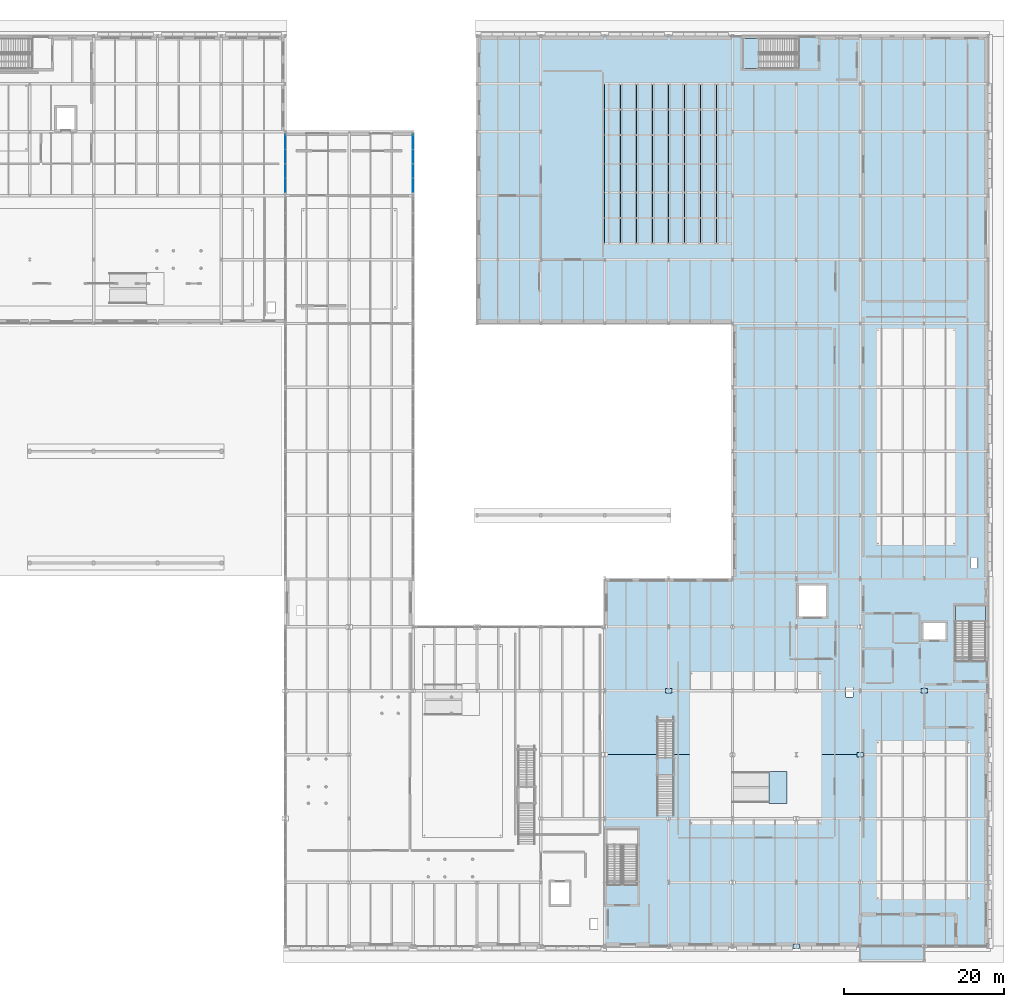
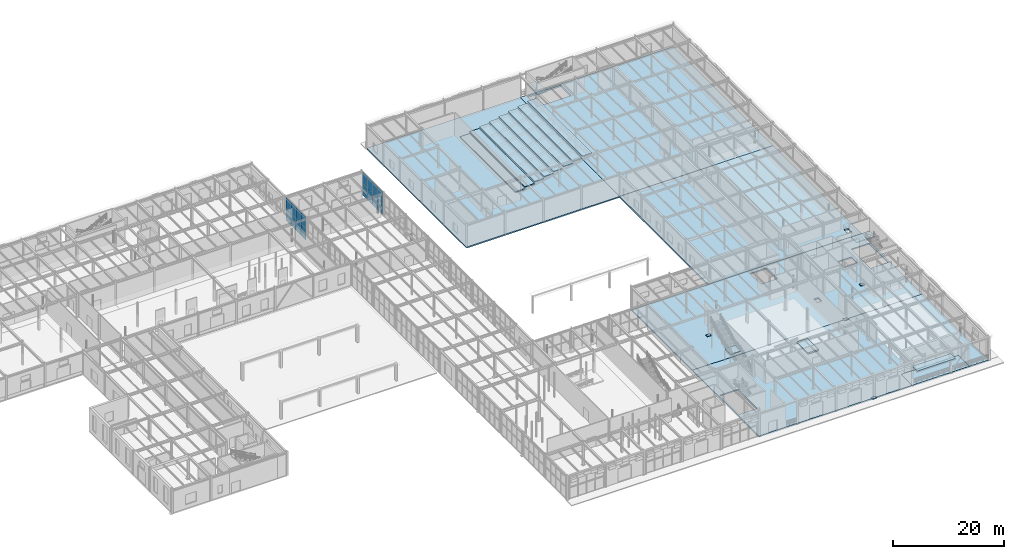
# One storey, part 63 of 129: 20 plates, 19 slabs, 6 elements without a shape of their own.
"""IFC4 building model written with IfcOpenShell, lengths in metres."""

import ifcopenshell
import ifcopenshell.guid

model = None  # the IFC model being written
_history = None  # IfcOwnerHistory: only IFC2X3 demands one
_inside = {}  # id of a spatial element -> (the spatial element, [elements in it])
_under = {}  # id of a project, library or spatial element -> (it, [spatial elements below it])
_declared = {}  # id of a project -> (the project, [libraries it declares])
_typed = {}  # id of a type object -> (the type object, [elements of that type])
_made_of = {}  # id of a material, layer set ... -> (it, [elements and type objects made of it])


def new_model(schema):
    """Start an empty IFC model of exactly this schema.

    Asked for "IFC4X3", IfcOpenShell would pick the latest addendum, in which some entities
    have other attributes; the version numbers below select the first issue.
    IFC2X3 requires an IfcOwnerHistory on every rooted entity: one is made here for all.
    """
    global model, _history
    if schema == "IFC4X3":
        model = ifcopenshell.file(schema_version=(4, 3, 0, 0))
    else:
        model = ifcopenshell.file(schema=schema)
    _inside.clear()
    _under.clear()
    _declared.clear()
    _typed.clear()
    _made_of.clear()
    _history = None
    if model.schema == "IFC2X3":
        org = make("IfcOrganization", Name="unknown")
        user = make(
            "IfcPersonAndOrganization",
            ThePerson=make("IfcPerson", FamilyName="unknown"),
            TheOrganization=org,
        )
        app = make(
            "IfcApplication",
            ApplicationDeveloper=org,
            Version="unknown",
            ApplicationFullName="unknown",
            ApplicationIdentifier="unknown",
        )
        _history = make(
            "IfcOwnerHistory",
            OwningUser=user,
            OwningApplication=app,
            ChangeAction="ADDED",
            CreationDate=0,
        )
    return model


def make(cls, **values):
    """One entity of the class cls with the attributes given. An attribute that is None is left unset."""
    return model.create_entity(
        cls, **{name: value for name, value in values.items() if value is not None}
    )


def rooted(cls, **values):
    """An entity with a GlobalId (a new one), such as an element, a storey or a relation."""
    return make(cls, GlobalId=ifcopenshell.guid.new(), OwnerHistory=_history, **values)


def si_unit(unit_type, name, prefix=None):
    """IfcSIUnit, for example si_unit("LENGTHUNIT", "METRE", prefix="MILLI")."""
    return make("IfcSIUnit", UnitType=unit_type, Prefix=prefix, Name=name)


def assignment(units):
    """IfcUnitAssignment: the units of a project."""
    return None if units is None else make("IfcUnitAssignment", Units=units)


def point(xyz):
    """IfcCartesianPoint."""
    return None if xyz is None else make("IfcCartesianPoint", Coordinates=xyz)


def direction(xyz):
    """IfcDirection."""
    return None if xyz is None else make("IfcDirection", DirectionRatios=xyz)


def frame(location, z_axis=None, x_axis=None):
    """IfcAxis2Placement3D, a coordinate frame: its origin and axes. An axis left out is left unset."""
    return make(
        "IfcAxis2Placement3D",
        Location=point(location),
        Axis=direction(z_axis),
        RefDirection=direction(x_axis),
    )


def frame_2d(location, x_axis=None):
    """IfcAxis2Placement2D, a coordinate frame in the plane: its origin and x axis."""
    return make(
        "IfcAxis2Placement2D", Location=point(location), RefDirection=direction(x_axis)
    )


def origin():
    """The frame at (0, 0, 0) with its axes left unset."""
    return frame((0.0, 0.0, 0.0))


def origin_2d():
    """The frame at (0, 0) in the plane with its x axis left unset."""
    return frame_2d((0.0, 0.0))


def place(relative_to, where):
    """IfcLocalPlacement: puts the frame where relative to a parent placement (None: the world)."""
    return make(
        "IfcLocalPlacement", PlacementRelTo=relative_to, RelativePlacement=where
    )


def context(
    kind, dimensions, precision=None, world=None, true_north=None, identifier=None
):
    """IfcGeometricRepresentationContext, for example the 3D "Model" context."""
    return make(
        "IfcGeometricRepresentationContext",
        ContextIdentifier=identifier,
        ContextType=kind,
        CoordinateSpaceDimension=dimensions,
        Precision=precision,
        WorldCoordinateSystem=world,
        TrueNorth=true_north,
    )


def subcontext(parent, identifier, kind, view, scale=None):
    """IfcGeometricRepresentationSubContext, for example "Body" below "Model"."""
    return make(
        "IfcGeometricRepresentationSubContext",
        ContextIdentifier=identifier,
        ContextType=kind,
        ParentContext=parent,
        TargetScale=scale,
        TargetView=view,
    )


def project(units=None, contexts=None):
    """IfcProject with its units and contexts."""
    return rooted(
        "IfcProject",
        Name="project",
        RepresentationContexts=contexts,
        UnitsInContext=assignment(units),
    )


def spatial(cls, under=None, at=None, **own):
    """A site, building, storey or space (cls), placed at a placement, below another one or the project."""
    s = rooted(cls, ObjectPlacement=at, **own)
    if under is not None:
        _under.setdefault(under.id(), (under, []))[1].append(s)
    return s


def polyline(points):
    """IfcPolyline through the points."""
    return make("IfcPolyline", Points=[point(p) for p in points])


def profile(cls, at=None, kind="AREA", **sizes):
    """A parametric profile (cls). Its sizes go by their IFC names, for example OverallWidth=200.0."""
    return make(cls, ProfileType=kind, Position=at, **sizes)


def rectangle(**sizes):
    """IfcRectangleProfileDef."""
    return profile("IfcRectangleProfileDef", **sizes)


def outline(outer, holes=None, kind="AREA"):
    """IfcArbitraryClosedProfileDef: a profile drawn as a closed curve; with holes, ...WithVoids."""
    if holes is None:
        return make("IfcArbitraryClosedProfileDef", ProfileType=kind, OuterCurve=outer)
    return make(
        "IfcArbitraryProfileDefWithVoids",
        ProfileType=kind,
        OuterCurve=outer,
        InnerCurves=holes,
    )


def extrude(swept, where, along, depth):
    """IfcExtrudedAreaSolid: the profile swept, set in the frame where, extruded along a direction by depth."""
    return make(
        "IfcExtrudedAreaSolid",
        SweptArea=swept,
        Position=where,
        ExtrudedDirection=direction(along),
        Depth=depth,
    )


def shape(context_of_items, identifier, shape_type, items):
    """IfcShapeRepresentation: the items that make up one representation, for example the "Body"."""
    return make(
        "IfcShapeRepresentation",
        ContextOfItems=context_of_items,
        RepresentationIdentifier=identifier,
        RepresentationType=shape_type,
        Items=items,
    )


def material(Name=None, Category=None):
    """IfcMaterial."""
    return make("IfcMaterial", Name=Name, Category=Category)


def layer(
    of_material, thickness, ventilated=None, Name=None, Category=None, Priority=None
):
    """IfcMaterialLayer: one layer of a wall or slab, of a material (None: an air gap)."""
    return make(
        "IfcMaterialLayer",
        Material=of_material,
        LayerThickness=thickness,
        IsVentilated=ventilated,
        Name=Name,
        Category=Category,
        Priority=Priority,
    )


def layer_set(layers, Name=None):
    """IfcMaterialLayerSet."""
    return make("IfcMaterialLayerSet", MaterialLayers=layers, LayerSetName=Name)


def made_of(thing, what):
    """Note that an element or type object is made of a material, layer set ...; save() writes the relation."""
    if what is not None:
        _made_of.setdefault(what.id(), (what, []))[1].append(thing)
    return thing


def type_object(cls, material=None, **own):
    """A type object (cls), such as IfcWallType, which elements share."""
    return made_of(rooted(cls, **own), material)


def element(
    cls,
    number,
    at=None,
    inside=None,
    cuts=None,
    type_object=None,
    material=None,
    context=None,
    identifier="Body",
    shape_type=None,
    held_by="IfcProductDefinitionShape",
    body=None,
    shapes=None,
    **own,
):
    """One element of the class cls, such as IfcWall. Its Tag is "e" and its number.

    at: its placement. inside: the storey or other place that contains it. cuts: it is an
    opening in that element (IfcRelVoidsElement). A single representation is given by context,
    identifier, shape_type and body (its items); several are given by shapes. held_by: the class
    of the entity that holds the representations. save() writes the other relations.
    """
    e = rooted(cls, Tag="e%d" % number, ObjectPlacement=at, **own)
    if body is not None:
        shapes = [shape(context, identifier, shape_type, body)]
    if shapes is not None:
        e.Representation = make(held_by, Representations=shapes)
    if inside is not None:
        _inside.setdefault(inside.id(), (inside, []))[1].append(e)
    if cuts is not None:
        rooted(
            "IfcRelVoidsElement", RelatingBuildingElement=cuts, RelatedOpeningElement=e
        )
    if type_object is not None:
        _typed.setdefault(type_object.id(), (type_object, []))[1].append(e)
    return made_of(e, material)


def aggregate(whole, parts):
    """IfcRelAggregates: a whole, such as a stair, and the parts it consists of."""
    return rooted("IfcRelAggregates", RelatingObject=whole, RelatedObjects=parts)


def save(model, path):
    """Write the relations noted so far, then the file.

    IfcRelAggregates (storeys below a building ...), IfcRelContainedInSpatialStructure (elements
    in a storey), IfcRelDefinesByType, IfcRelAssociatesMaterial and IfcRelDeclares: one each for
    every whole, place, type object, material and project.
    """
    for whole, parts in _under.values():
        aggregate(whole, parts)
    for where, things in _inside.values():
        rooted(
            "IfcRelContainedInSpatialStructure",
            RelatedElements=things,
            RelatingStructure=where,
        )
    for kind, things in _typed.values():
        rooted("IfcRelDefinesByType", RelatedObjects=things, RelatingType=kind)
    for what, things in _made_of.values():
        rooted("IfcRelAssociatesMaterial", RelatedObjects=things, RelatingMaterial=what)
    for by, libraries in _declared.values():
        rooted("IfcRelDeclares", RelatingContext=by, RelatedDefinitions=libraries)
    model.write(path)


model = new_model("IFC4")

# Units and contexts
model_context = context("Model", 3, precision=1e-05, world=origin(), true_north=direction((0.0, 1.0)))
body_context = subcontext(model_context, "Body", "Model", "MODEL_VIEW")
ifc_project = project(units=[si_unit("LENGTHUNIT", "METRE"), si_unit("AREAUNIT", "SQUARE_METRE"), si_unit("VOLUMEUNIT", "CUBIC_METRE"), si_unit("PLANEANGLEUNIT", "RADIAN"), si_unit("MASSUNIT", "GRAM", prefix="KILO")], contexts=[model_context])

# Site, building, storey
site_placement = place(None, origin())
site = spatial("IfcSite", under=ifc_project, at=site_placement, CompositionType="ELEMENT")
building_placement = place(site_placement, origin())
building = spatial("IfcBuilding", under=site, at=building_placement, Name="Sundkrona Museum", CompositionType="ELEMENT")
storey_placement = place(building_placement, origin())
storey = spatial("IfcBuildingStorey", under=building, at=storey_placement, Name="L00", CompositionType="ELEMENT", Elevation=0.0)

# Plates
ifc_material_1 = material(Name="Steel S355J2", Category="steel")
ifc_layer_1 = layer(ifc_material_1, 0.054931640625)
ifc_layer_set_1 = layer_set([ifc_layer_1], Name="Steel S355J2")
plate_type_1 = type_object("IfcPlateType", Name="BP-1", PredefinedType="USERDEFINED", material=ifc_layer_set_1)
for number, where, z_axis, x_axis, name in (
    (1, (128.0, 32.0, 0.0), (0.0, 0.0, 1.0), (1.0, 0.0, 0.0), "Column Base Plate E/17"),
    (2, (144.0, 0.0, 0.0), (0.0, 0.0, 1.0), (1.0, 0.0, 0.0), "Column Base Plate A/19"),
    (3, (152.0, 24.0, 0.0), (0.0, 0.0, 1.0), (1.0, 0.0, 0.0), "Column Base Plate D/20"),
    (4, (160.0, 32.0, 0.0), (0.0, 0.0, 1.0), (1.0, 0.0, 0.0), "Column Base Plate E/21"),
):
    element("IfcPlate", number, at=place(storey_placement, frame(where, z_axis=z_axis, x_axis=x_axis)), inside=storey, type_object=plate_type_1, Name=name, ObjectType="GUSSET PLATE", PredefinedType="USERDEFINED", context=body_context, shape_type="SweptSolid", body=[
        extrude(rectangle(XDim=0.840087890625, YDim=0.60009765625, at=origin_2d()), origin(), (0.0, 0.0, 1.0), 0.054931640625),
    ])

# Curtain wall, plates
ifc_material_2 = material(Name="Unitised Aluminium-Steel and Ceramic-Clad Curtain Walling", Category="steel")
curtain_wall_type = type_object("IfcCurtainWallType", Name="CW-PS-74x48", PredefinedType="NOTDEFINED", material=ifc_material_2)
curtain_wall_1_placement = place(storey_placement, origin())
curtain_wall_1 = element("IfcCurtainWall", 5, at=curtain_wall_1_placement, inside=storey, type_object=curtain_wall_type, Name="L00 Curtain Wall CW-L00-106", PredefinedType="NOTDEFINED")
ifc_material_3 = material(Name="Triple Low-E Vision Glazing 32 mm", Category="glass")
ifc_layer_2 = layer(ifc_material_3, 0.031982421875)
ifc_layer_set_2 = layer_set([ifc_layer_2], Name="Triple Low-E Vision Glazing 32 mm")
plate_type_2 = type_object("IfcPlateType", Name="PN-GL-01", PredefinedType="CURTAIN_PANEL", material=ifc_layer_set_2)
plate_1_placement = place(storey_placement, frame((80.0, 95.300048828125, -0.00390625), z_axis=(0.0, 0.0, 1.0), x_axis=(0.0, 1.0, 0.0)))
plate_1 = element("IfcPlate", 6, at=plate_1_placement, type_object=plate_type_2, Name="CW-L00-106 Panel 01", PredefinedType="CURTAIN_PANEL", context=body_context, shape_type="SweptSolid", body=[
    extrude(rectangle(XDim=1.800048828125, YDim=0.031982421875, at=origin_2d()), origin(), (0.0, 0.0, 1.0), 2.573974609375),
])
plate_2_placement = place(storey_placement, frame((80.0, 95.300048828125, 2.56982421875), z_axis=(0.0, 0.0, 1.0), x_axis=(0.0, 1.0, 0.0)))
plate_2 = element("IfcPlate", 7, at=plate_2_placement, type_object=plate_type_2, Name="CW-L00-106 Panel 02", PredefinedType="CURTAIN_PANEL", context=body_context, shape_type="SweptSolid", body=[
    extrude(rectangle(XDim=1.800048828125, YDim=0.031982421875, at=origin_2d()), origin(), (0.0, 0.0, 1.0), 2.573974609375),
])
plate_3_placement = place(storey_placement, frame((80.0, 97.10009765625, -0.00390625), z_axis=(0.0, 0.0, 1.0), x_axis=(0.0, 1.0, 0.0)))
plate_3 = element("IfcPlate", 8, at=plate_3_placement, type_object=plate_type_2, Name="CW-L00-106 Panel 03", PredefinedType="CURTAIN_PANEL", context=body_context, shape_type="SweptSolid", body=[
    extrude(rectangle(XDim=1.800048828125, YDim=0.031982421875, at=origin_2d()), origin(), (0.0, 0.0, 1.0), 2.573974609375),
])
plate_4_placement = place(storey_placement, frame((80.0, 97.10009765625, 2.56982421875), z_axis=(0.0, 0.0, 1.0), x_axis=(0.0, 1.0, 0.0)))
plate_4 = element("IfcPlate", 9, at=plate_4_placement, type_object=plate_type_2, Name="CW-L00-106 Panel 04", PredefinedType="CURTAIN_PANEL", context=body_context, shape_type="SweptSolid", body=[
    extrude(rectangle(XDim=1.800048828125, YDim=0.031982421875, at=origin_2d()), origin(), (0.0, 0.0, 1.0), 2.573974609375),
])
plate_5_placement = place(storey_placement, frame((80.0, 98.89990234375, -0.00390625), z_axis=(0.0, 0.0, 1.0), x_axis=(0.0, 1.0, 0.0)))
plate_5 = element("IfcPlate", 10, at=plate_5_placement, type_object=plate_type_2, Name="CW-L00-106 Panel 05", PredefinedType="CURTAIN_PANEL", context=body_context, shape_type="SweptSolid", body=[
    extrude(rectangle(XDim=1.800048828125, YDim=0.031982421875, at=origin_2d()), origin(), (0.0, 0.0, 1.0), 2.573974609375),
])
plate_6_placement = place(storey_placement, frame((80.0, 98.89990234375, 2.56982421875), z_axis=(0.0, 0.0, 1.0), x_axis=(0.0, 1.0, 0.0)))
plate_6 = element("IfcPlate", 11, at=plate_6_placement, type_object=plate_type_2, Name="CW-L00-106 Panel 06", PredefinedType="CURTAIN_PANEL", context=body_context, shape_type="SweptSolid", body=[
    extrude(rectangle(XDim=1.800048828125, YDim=0.031982421875, at=origin_2d()), origin(), (0.0, 0.0, 1.0), 2.573974609375),
])
plate_7_placement = place(storey_placement, frame((80.0, 100.699951171875, -0.00390625), z_axis=(0.0, 0.0, 1.0), x_axis=(0.0, 1.0, 0.0)))
plate_7 = element("IfcPlate", 12, at=plate_7_placement, type_object=plate_type_2, Name="CW-L00-106 Panel 07", PredefinedType="CURTAIN_PANEL", context=body_context, shape_type="SweptSolid", body=[
    extrude(rectangle(XDim=1.800048828125, YDim=0.031982421875, at=origin_2d()), origin(), (0.0, 0.0, 1.0), 2.573974609375),
])
plate_8_placement = place(storey_placement, frame((80.0, 100.699951171875, 2.56982421875), z_axis=(0.0, 0.0, 1.0), x_axis=(0.0, 1.0, 0.0)))
plate_8 = element("IfcPlate", 13, at=plate_8_placement, type_object=plate_type_2, Name="CW-L00-106 Panel 08", PredefinedType="CURTAIN_PANEL", context=body_context, shape_type="SweptSolid", body=[
    extrude(rectangle(XDim=1.800048828125, YDim=0.031982421875, at=origin_2d()), origin(), (0.0, 0.0, 1.0), 2.573974609375),
])
aggregate(curtain_wall_1, [plate_1, plate_2, plate_3, plate_4, plate_5, plate_6, plate_7, plate_8])

curtain_wall_2_placement = place(storey_placement, origin())
curtain_wall_2 = element("IfcCurtainWall", 14, at=curtain_wall_2_placement, inside=storey, type_object=curtain_wall_type, Name="L00 Curtain Wall CW-L00-107", PredefinedType="NOTDEFINED")
plate_9_placement = place(storey_placement, frame((96.0, 95.300048828125, -0.00390625), z_axis=(0.0, 0.0, 1.0), x_axis=(0.0, 1.0, 0.0)))
plate_9 = element("IfcPlate", 15, at=plate_9_placement, type_object=plate_type_2, Name="CW-L00-107 Panel 01", PredefinedType="CURTAIN_PANEL", context=body_context, shape_type="SweptSolid", body=[
    extrude(rectangle(XDim=1.800048828125, YDim=0.031982421875, at=origin_2d()), origin(), (0.0, 0.0, 1.0), 2.573974609375),
])
plate_10_placement = place(storey_placement, frame((96.0, 95.300048828125, 2.56982421875), z_axis=(0.0, 0.0, 1.0), x_axis=(0.0, 1.0, 0.0)))
plate_10 = element("IfcPlate", 16, at=plate_10_placement, type_object=plate_type_2, Name="CW-L00-107 Panel 02", PredefinedType="CURTAIN_PANEL", context=body_context, shape_type="SweptSolid", body=[
    extrude(rectangle(XDim=1.800048828125, YDim=0.031982421875, at=origin_2d()), origin(), (0.0, 0.0, 1.0), 2.573974609375),
])
plate_11_placement = place(storey_placement, frame((96.0, 97.10009765625, -0.00390625), z_axis=(0.0, 0.0, 1.0), x_axis=(0.0, 1.0, 0.0)))
plate_11 = element("IfcPlate", 17, at=plate_11_placement, type_object=plate_type_2, Name="CW-L00-107 Panel 03", PredefinedType="CURTAIN_PANEL", context=body_context, shape_type="SweptSolid", body=[
    extrude(rectangle(XDim=1.800048828125, YDim=0.031982421875, at=origin_2d()), origin(), (0.0, 0.0, 1.0), 2.573974609375),
])
plate_12_placement = place(storey_placement, frame((96.0, 97.10009765625, 2.56982421875), z_axis=(0.0, 0.0, 1.0), x_axis=(0.0, 1.0, 0.0)))
plate_12 = element("IfcPlate", 18, at=plate_12_placement, type_object=plate_type_2, Name="CW-L00-107 Panel 04", PredefinedType="CURTAIN_PANEL", context=body_context, shape_type="SweptSolid", body=[
    extrude(rectangle(XDim=1.800048828125, YDim=0.031982421875, at=origin_2d()), origin(), (0.0, 0.0, 1.0), 2.573974609375),
])
plate_13_placement = place(storey_placement, frame((96.0, 98.89990234375, -0.00390625), z_axis=(0.0, 0.0, 1.0), x_axis=(0.0, 1.0, 0.0)))
plate_13 = element("IfcPlate", 19, at=plate_13_placement, type_object=plate_type_2, Name="CW-L00-107 Panel 05", PredefinedType="CURTAIN_PANEL", context=body_context, shape_type="SweptSolid", body=[
    extrude(rectangle(XDim=1.800048828125, YDim=0.031982421875, at=origin_2d()), origin(), (0.0, 0.0, 1.0), 2.573974609375),
])
plate_14_placement = place(storey_placement, frame((96.0, 98.89990234375, 2.56982421875), z_axis=(0.0, 0.0, 1.0), x_axis=(0.0, 1.0, 0.0)))
plate_14 = element("IfcPlate", 20, at=plate_14_placement, type_object=plate_type_2, Name="CW-L00-107 Panel 06", PredefinedType="CURTAIN_PANEL", context=body_context, shape_type="SweptSolid", body=[
    extrude(rectangle(XDim=1.800048828125, YDim=0.031982421875, at=origin_2d()), origin(), (0.0, 0.0, 1.0), 2.573974609375),
])
plate_15_placement = place(storey_placement, frame((96.0, 100.699951171875, -0.00390625), z_axis=(0.0, 0.0, 1.0), x_axis=(0.0, 1.0, 0.0)))
plate_15 = element("IfcPlate", 21, at=plate_15_placement, type_object=plate_type_2, Name="CW-L00-107 Panel 07", PredefinedType="CURTAIN_PANEL", context=body_context, shape_type="SweptSolid", body=[
    extrude(rectangle(XDim=1.800048828125, YDim=0.031982421875, at=origin_2d()), origin(), (0.0, 0.0, 1.0), 2.573974609375),
])
plate_16_placement = place(storey_placement, frame((96.0, 100.699951171875, 2.56982421875), z_axis=(0.0, 0.0, 1.0), x_axis=(0.0, 1.0, 0.0)))
plate_16 = element("IfcPlate", 22, at=plate_16_placement, type_object=plate_type_2, Name="CW-L00-107 Panel 08", PredefinedType="CURTAIN_PANEL", context=body_context, shape_type="SweptSolid", body=[
    extrude(rectangle(XDim=1.800048828125, YDim=0.031982421875, at=origin_2d()), origin(), (0.0, 0.0, 1.0), 2.573974609375),
])
aggregate(curtain_wall_2, [plate_9, plate_10, plate_11, plate_12, plate_13, plate_14, plate_15, plate_16])

# Slabs
ifc_material_4 = material(Name="Concrete C35/45", Category="concrete")
ifc_layer_3 = layer(ifc_material_4, 0.35009765625)
ifc_layer_set_3 = layer_set([ifc_layer_3], Name="Concrete C35/45")
slab_type_1 = type_object("IfcSlabType", Name="SL-AR-350", PredefinedType="FLOOR", material=ifc_layer_set_3)
slab_1_placement = place(storey_placement, frame((0.0, 0.0, -0.35009765625)))
element("IfcSlab", 23, at=slab_1_placement, inside=storey, type_object=slab_type_1, Name="L00 High-load compact archive floor slab 350 mm (SL-L00-V5L)", PredefinedType="FLOOR", context=body_context, shape_type="SweptSolid", body=[
    extrude(outline(polyline([(136.0, 46.0), (168.0, 46.0), (168.0, 78.0), (136.0, 78.0), (136.0, 46.0)]), holes=[polyline([(166.699951171875, 47.39990234375), (165.800048828125, 47.39990234375), (165.800048828125, 48.60009765625), (166.699951171875, 48.60009765625), (166.699951171875, 47.39990234375)])]), origin(), (0.0, 0.0, 1.0), 0.35009765625),
])
ifc_layer_4 = layer(ifc_material_4, 0.139892578125)
ifc_layer_set_4 = layer_set([ifc_layer_4], Name="Concrete C35/45")
slab_type_2 = type_object("IfcSlabType", Name="SL-CN-140", PredefinedType="ROOF", material=ifc_layer_set_4)
slab_2_placement = place(storey_placement, frame((0.0, 0.0, 4.10009765625)))
element("IfcSlab", 24, at=slab_2_placement, inside=storey, type_object=slab_type_2, Name="South Avenue Entrance Canopy Deck", PredefinedType="ROOF", context=body_context, shape_type="SweptSolid", body=[
    extrude(outline(polyline([(152.0, -1.800048828125), (160.0, -1.800048828125), (160.0, 0.0), (152.0, 0.0), (152.0, -1.800048828125)])), origin(), (0.0, 0.0, 1.0), 0.139892578125),
])
ifc_layer_5 = layer(ifc_material_4, 0.375)
ifc_layer_set_5 = layer_set([ifc_layer_5], Name="Concrete C35/45")
slab_type_3 = type_object("IfcSlabType", Name="SL-DK-375", PredefinedType="FLOOR", material=ifc_layer_set_5)
slab_3_placement = place(storey_placement, frame((0.0, 0.0, -0.375)))
element("IfcSlab", 25, at=slab_3_placement, inside=storey, type_object=slab_type_3, Name="L00 Art-delivery loading dock lorry apron slab 375 mm (SL-L00-V5E)", PredefinedType="FLOOR", context=body_context, shape_type="SweptSolid", body=[
    extrude(outline(polyline([(136.0, 78.0), (168.0, 78.0), (168.0, 114.0), (136.0, 114.0), (136.0, 78.0)]), holes=[polyline([(137.324951171875, 113.675048828125), (144.27490234375, 113.675048828125), (144.27490234375, 109.925048828125), (137.324951171875, 109.925048828125), (137.324951171875, 113.675048828125)])]), origin(), (0.0, 0.0, 1.0), 0.375),
])
ifc_layer_6 = layer(ifc_material_4, 0.280029296875)
ifc_layer_set_6 = layer_set([ifc_layer_6], Name="Concrete C35/45")
slab_type_4 = type_object("IfcSlabType", Name="SL-FL-280", PredefinedType="FLOOR", material=ifc_layer_set_6)
slab_4_placement = place(storey_placement, frame((0.0, 0.0, -0.280029296875)))
element("IfcSlab", 26, at=slab_4_placement, inside=storey, type_object=slab_type_4, Name="L00 Heavy paleontology hall composite floor slab 280 mm (SL-L00-V1S)", PredefinedType="FLOOR", context=body_context, shape_type="SweptSolid", body=[
    extrude(outline(polyline([(120.0, 0.0), (152.0, 0.0), (152.0, 4.0), (164.0, 4.0), (164.0, 0.0), (168.0, 0.0), (168.0, 24.0), (120.0, 24.0), (120.0, 0.0)]), holes=[polyline([(124.074951171875, 14.675048828125), (124.074951171875, 7.72509765625), (120.324951171875, 7.72509765625), (120.324951171875, 14.675048828125), (124.074951171875, 14.675048828125)])]), origin(), (0.0, 0.0, 1.0), 0.280029296875),
])
slab_5_placement = place(storey_placement, frame((0.0, 0.0, -0.280029296875)))
element("IfcSlab", 27, at=slab_5_placement, inside=storey, type_object=slab_type_4, Name="L00 Heavy paleontology hall composite floor slab 280 mm (SL-L00-ENT)", PredefinedType="FLOOR", context=body_context, shape_type="SweptSolid", body=[
    extrude(outline(polyline([(152.0, 0.0), (164.0, 0.0), (164.0, 4.0), (152.0, 4.0), (152.0, 0.0)])), origin(), (0.0, 0.0, 1.0), 0.280029296875),
])
slab_6_placement = place(storey_placement, frame((0.0, 0.0, -0.280029296875)))
element("IfcSlab", 28, at=slab_6_placement, inside=storey, type_object=slab_type_4, Name="L00 Heavy paleontology hall composite floor slab 280 mm (SL-L00-V1N)", PredefinedType="FLOOR", context=body_context, shape_type="SweptSolid", body=[
    extrude(outline(polyline([(120.0, 24.0), (168.0, 24.0), (168.0, 46.0), (120.0, 46.0), (120.0, 24.0)]), holes=[polyline([(167.675048828125, 42.675048828125), (167.675048828125, 35.72509765625), (163.925048828125, 35.72509765625), (163.925048828125, 42.675048828125), (167.675048828125, 42.675048828125)]), polyline([(162.699951171875, 38.39990234375), (159.89990234375, 38.39990234375), (159.89990234375, 40.5), (162.699951171875, 40.5), (162.699951171875, 38.39990234375)]), polyline([(151.10009765625, 31.199951171875), (150.199951171875, 31.199951171875), (150.199951171875, 32.39990234375), (151.10009765625, 32.39990234375), (151.10009765625, 31.199951171875)]), polyline([(147.699951171875, 41.300048828125), (144.300048828125, 41.300048828125), (144.300048828125, 45.199951171875), (147.699951171875, 45.199951171875), (147.699951171875, 41.300048828125)])]), origin(), (0.0, 0.0, 1.0), 0.280029296875),
])
slab_7_placement = place(storey_placement, frame((0.0, 0.0, -0.280029296875)))
element("IfcSlab", 29, at=slab_7_placement, inside=storey, type_object=slab_type_4, Name="L00 Heavy paleontology hall composite floor slab 280 mm (SL-L00-V5W)", PredefinedType="FLOOR", context=body_context, shape_type="SweptSolid", body=[
    extrude(outline(polyline([(104.0, 78.0), (136.0, 78.0), (136.0, 114.0), (104.0, 114.0), (104.0, 78.0)])), origin(), (0.0, 0.0, 1.0), 0.280029296875),
])

# Stair, slab
stair_type_1 = type_object("IfcStairType", Name="ST-DL-540", PredefinedType="HALF_TURN_STAIR", material=ifc_material_4)
stair_1_placement = place(storey_placement, origin())
stair_1 = element("IfcStair", 30, at=stair_1_placement, inside=storey, type_object=stair_type_1, Name="L00 Protected Stair Core ST-1", PredefinedType="HALF_TURN_STAIR")
ifc_layer_7 = layer(ifc_material_4, 0.219970703125)
ifc_layer_set_7 = layer_set([ifc_layer_7], Name="Concrete C35/45")
slab_type_5 = type_object("IfcSlabType", Name="SL-LN-220", PredefinedType="LANDING", material=ifc_layer_set_7)
slab_8_placement = place(storey_placement, frame((0.0, 0.0, 2.47998046875)))
slab_8 = element("IfcSlab", 31, at=slab_8_placement, type_object=slab_type_5, Name="L00 Protected Stair Core ST-1 Landing 1", PredefinedType="LANDING", context=body_context, shape_type="SweptSolid", body=[
    extrude(outline(polyline([(167.699951171875, 40.715087890625), (167.699951171875, 42.699951171875), (163.89990234375, 42.699951171875), (163.89990234375, 40.715087890625), (167.699951171875, 40.715087890625)])), origin(), (0.0, 0.0, 1.0), 0.219970703125),
])
aggregate(stair_1, [slab_8])

stair_2_placement = place(storey_placement, origin())
stair_2 = element("IfcStair", 32, at=stair_2_placement, inside=storey, type_object=stair_type_1, Name="L00 Protected Stair Core ST-5", PredefinedType="HALF_TURN_STAIR")
slab_9_placement = place(storey_placement, frame((0.0, 0.0, 2.47998046875)))
slab_9 = element("IfcSlab", 33, at=slab_9_placement, type_object=slab_type_5, Name="L00 Protected Stair Core ST-5 Landing 1", PredefinedType="LANDING", context=body_context, shape_type="SweptSolid", body=[
    extrude(outline(polyline([(139.284912109375, 113.699951171875), (137.300048828125, 113.699951171875), (137.300048828125, 109.89990234375), (139.284912109375, 109.89990234375), (139.284912109375, 113.699951171875)])), origin(), (0.0, 0.0, 1.0), 0.219970703125),
])
aggregate(stair_2, [slab_9])

ifc_material_5 = material(Name="Steel S355J2 and Terrazzo Treads", Category="steel")
stair_type_2 = type_object("IfcStairType", Name="ST-FS-540", PredefinedType="STRAIGHT_RUN_STAIR", material=ifc_material_5)
stair_3_placement = place(storey_placement, origin())
stair_3 = element("IfcStair", 34, at=stair_3_placement, inside=storey, type_object=stair_type_2, Name="L00 Feature Stair FS-5", PredefinedType="STRAIGHT_RUN_STAIR")
slab_10_placement = place(storey_placement, frame((0.0, 0.0, 2.47998046875)))
slab_10 = element("IfcSlab", 35, at=slab_10_placement, type_object=slab_type_5, Name="L00 Feature Stair FS-5 Landing 1", PredefinedType="LANDING", context=body_context, shape_type="SweptSolid", body=[
    extrude(outline(polyline([(128.64990234375, 21.5), (128.64990234375, 23.60009765625), (126.550048828125, 23.60009765625), (126.550048828125, 21.5), (128.64990234375, 21.5)])), origin(), (0.0, 0.0, 1.0), 0.219970703125),
])
aggregate(stair_3, [slab_10])

# Ramp, slab
ramp_type = type_object("IfcRampType", Name="RMP-ACC-180", PredefinedType="HALF_TURN_RAMP", material=ifc_material_4)
ramp_placement = place(storey_placement, origin())
ramp = element("IfcRamp", 36, at=ramp_placement, inside=storey, type_object=ramp_type, Name="L00 Accessible Gallery Dais Ramp RMP-02", PredefinedType="HALF_TURN_RAMP")
slab_11_placement = place(storey_placement, frame((0.0, 0.0, -0.02001953125)))
slab_11 = element("IfcSlab", 37, at=slab_11_placement, type_object=slab_type_5, Name="RMP-02 Accessible Dais Landing", PredefinedType="LANDING", context=body_context, shape_type="SweptSolid", body=[
    extrude(outline(polyline([(140.570068359375, 17.89990234375), (142.800048828125, 17.89990234375), (142.800048828125, 21.89990234375), (140.570068359375, 21.89990234375), (140.570068359375, 17.89990234375)])), origin(), (0.0, 0.0, 1.0), 0.300048828125),
])
aggregate(ramp, [slab_11])

# Slabs
ifc_layer_8 = layer(ifc_material_4, 0.199951171875)
ifc_layer_set_8 = layer_set([ifc_layer_8], Name="Concrete C35/45")
slab_type_6 = type_object("IfcSlabType", Name="SL-TR-200", PredefinedType="USERDEFINED", material=ifc_layer_set_8)
slab_12_placement = place(storey_placement, frame((0.0, 0.0, 0.3701171875)))
element("IfcSlab", 38, at=slab_12_placement, inside=storey, type_object=slab_type_6, Name="Auditorium Seating Tier 01", ObjectType="SEATING TIER", PredefinedType="USERDEFINED", context=body_context, shape_type="SweptSolid", body=[
    extrude(outline(polyline([(120.0, 88.0), (122.0, 88.0), (122.0, 108.0), (120.0, 108.0), (120.0, 88.0)])), origin(), (0.0, 0.0, 1.0), 0.199951171875),
])
slab_13_placement = place(storey_placement, frame((0.0, 0.0, 0.7900390625)))
element("IfcSlab", 39, at=slab_13_placement, inside=storey, type_object=slab_type_6, Name="Auditorium Seating Tier 02", ObjectType="SEATING TIER", PredefinedType="USERDEFINED", context=body_context, shape_type="SweptSolid", body=[
    extrude(outline(polyline([(122.0, 88.0), (124.0, 88.0), (124.0, 108.0), (122.0, 108.0), (122.0, 88.0)])), origin(), (0.0, 0.0, 1.0), 0.199951171875),
])
slab_14_placement = place(storey_placement, frame((0.0, 0.0, 1.2099609375)))
element("IfcSlab", 40, at=slab_14_placement, inside=storey, type_object=slab_type_6, Name="Auditorium Seating Tier 03", ObjectType="SEATING TIER", PredefinedType="USERDEFINED", context=body_context, shape_type="SweptSolid", body=[
    extrude(outline(polyline([(124.0, 88.0), (126.0, 88.0), (126.0, 108.0), (124.0, 108.0), (124.0, 88.0)])), origin(), (0.0, 0.0, 1.0), 0.199951171875),
])
slab_15_placement = place(storey_placement, frame((0.0, 0.0, 1.6298828125)))
element("IfcSlab", 41, at=slab_15_placement, inside=storey, type_object=slab_type_6, Name="Auditorium Seating Tier 04", ObjectType="SEATING TIER", PredefinedType="USERDEFINED", context=body_context, shape_type="SweptSolid", body=[
    extrude(outline(polyline([(126.0, 88.0), (128.0, 88.0), (128.0, 108.0), (126.0, 108.0), (126.0, 88.0)])), origin(), (0.0, 0.0, 1.0), 0.2001953125),
])
slab_16_placement = place(storey_placement, frame((0.0, 0.0, 2.050048828125)))
element("IfcSlab", 42, at=slab_16_placement, inside=storey, type_object=slab_type_6, Name="Auditorium Seating Tier 05", ObjectType="SEATING TIER", PredefinedType="USERDEFINED", context=body_context, shape_type="SweptSolid", body=[
    extrude(outline(polyline([(128.0, 88.0), (130.0, 88.0), (130.0, 108.0), (128.0, 108.0), (128.0, 88.0)])), origin(), (0.0, 0.0, 1.0), 0.199951171875),
])
slab_17_placement = place(storey_placement, frame((0.0, 0.0, 2.469970703125)))
element("IfcSlab", 43, at=slab_17_placement, inside=storey, type_object=slab_type_6, Name="Auditorium Seating Tier 06", ObjectType="SEATING TIER", PredefinedType="USERDEFINED", context=body_context, shape_type="SweptSolid", body=[
    extrude(outline(polyline([(130.0, 88.0), (132.0, 88.0), (132.0, 108.0), (130.0, 108.0), (130.0, 88.0)])), origin(), (0.0, 0.0, 1.0), 0.199951171875),
])
slab_18_placement = place(storey_placement, frame((0.0, 0.0, 2.889892578125)))
element("IfcSlab", 44, at=slab_18_placement, inside=storey, type_object=slab_type_6, Name="Auditorium Seating Tier 07", ObjectType="SEATING TIER", PredefinedType="USERDEFINED", context=body_context, shape_type="SweptSolid", body=[
    extrude(outline(polyline([(132.0, 88.0), (134.0, 88.0), (134.0, 108.0), (132.0, 108.0), (132.0, 88.0)])), origin(), (0.0, 0.0, 1.0), 0.2001953125),
])
slab_19_placement = place(storey_placement, frame((0.0, 0.0, 3.31005859375)))
element("IfcSlab", 45, at=slab_19_placement, inside=storey, type_object=slab_type_6, Name="Auditorium Seating Tier 08", ObjectType="SEATING TIER", PredefinedType="USERDEFINED", context=body_context, shape_type="SweptSolid", body=[
    extrude(outline(polyline([(134.0, 88.0), (136.0, 88.0), (136.0, 108.0), (134.0, 108.0), (134.0, 88.0)])), origin(), (0.0, 0.0, 1.0), 0.199951171875),
])

save(model, "model.ifc")
